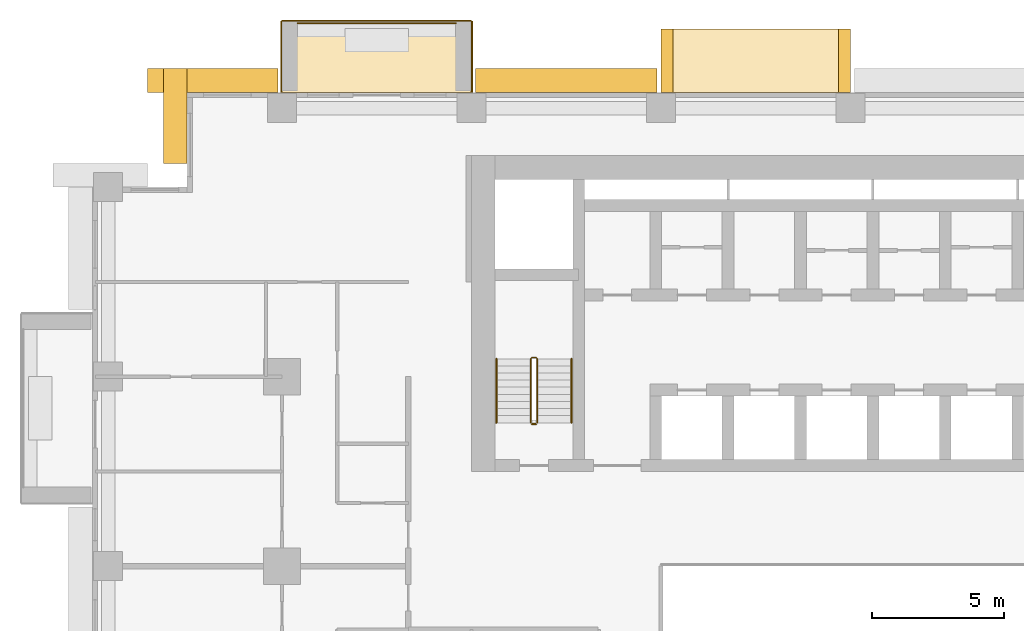
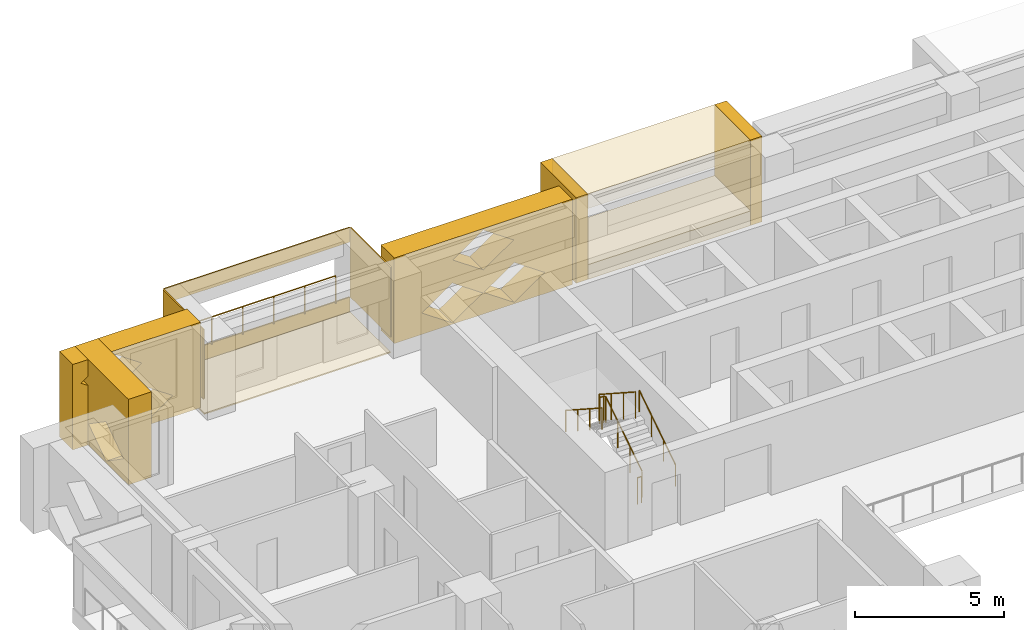
# One storey, part 15 of 17: 12 coverings, 5 railings.
"""IFC4 building model written with IfcOpenShell, lengths in metres."""

from ifc_helpers import new_model, si_unit, direction, frame, origin, origin_2d, place, context, subcontext, project, spatial, polyline, circle, outline, extrude, material, layer, layer_set, type_object, element, save


model = new_model("IFC4")

# Units and contexts
model_context = context("Model", 3, precision=1e-05, world=origin(), true_north=direction((0.0, 1.0)))
body_context = subcontext(model_context, "Body", "Model", "MODEL_VIEW")
ifc_project = project(units=[si_unit("LENGTHUNIT", "METRE"), si_unit("AREAUNIT", "SQUARE_METRE"), si_unit("VOLUMEUNIT", "CUBIC_METRE"), si_unit("PLANEANGLEUNIT", "RADIAN"), si_unit("MASSUNIT", "GRAM", prefix="KILO")], contexts=[model_context])

# Site, building, storey
site_placement = place(None, origin())
site = spatial("IfcSite", under=ifc_project, at=site_placement, CompositionType="ELEMENT")
building_placement = place(site_placement, origin())
building = spatial("IfcBuilding", under=site, at=building_placement, Name="Saffron Iwan Residences", CompositionType="ELEMENT")
storey_placement = place(building_placement, frame((0.0, 0.0, 34.0)))
storey = spatial("IfcBuildingStorey", under=building, at=storey_placement, Name="L07", CompositionType="ELEMENT", Elevation=34.0)

# Railing
ifc_material_1 = material(Name="Stainless steel 316", Category="steel")
railing_type_1 = type_object("IfcRailingType", Name="BALCONY GUARD 1150", PredefinedType="GUARDRAIL", material=ifc_material_1)
railing_1_placement = place(storey_placement, frame((28.199951171875, 83.02490234375, 0.0)))
element("IfcRailing", 1, at=railing_1_placement, inside=storey, type_object=railing_type_1, Name="Balcony guard L07 F5-3", PredefinedType="GUARDRAIL", context=body_context, shape_type="SweptSolid", body=[
    extrude(circle(Radius=0.02392578125, at=origin_2d()), frame((0.0, 0.0, 1.1259765625), z_axis=(-1.0, 0.0, 0.0), x_axis=(0.0, -1.0, 0.0)), (0.0, 0.0, 1.0), 6.0),
    extrude(circle(Radius=0.02099609375, at=origin_2d()), origin(), (0.0, 0.0, 1.0), 1.101806640625),
    extrude(circle(Radius=0.02099609375, at=origin_2d()), frame((-1.199951171875, 0.0, 0.0)), (0.0, 0.0, 1.0), 1.101806640625),
    extrude(circle(Radius=0.02099609375, at=origin_2d()), frame((-2.39990234375, 0.0, 0.0)), (0.0, 0.0, 1.0), 1.101806640625),
    extrude(circle(Radius=0.02099609375, at=origin_2d()), frame((-3.60009765625, 0.0, 0.0)), (0.0, 0.0, 1.0), 1.101806640625),
    extrude(circle(Radius=0.02099609375, at=origin_2d()), frame((-4.800048828125, 0.0, 0.0)), (0.0, 0.0, 1.0), 1.101806640625),
    extrude(circle(Radius=0.02099609375, at=origin_2d()), frame((-6.0, 0.0, 0.0)), (0.0, 0.0, 1.0), 1.101806640625),
])

# Coverings
ifc_material_2 = material(Name="Precast concrete C40/50 white painted", Category="concrete")
ifc_layer = layer(ifc_material_2, 0.050048828125)
ifc_layer_set = layer_set([ifc_layer], Name="Precast concrete C40/50 white painted")
covering_type_1 = type_object("IfcCoveringType", Name="FRAME SKIN PRECAST WHITE 50", PredefinedType="CLADDING", material=ifc_layer_set)
for number, where, name in (
    (2, (0.0, 0.0, -0.60009765625), "Frame skin slab edge L07 F5-3"),
    (3, (0.0, 0.0, 2.25), "Frame skin fascia L07 F5-3"),
):
    element("IfcCovering", number, at=place(storey_placement, frame(where)), inside=storey, type_object=covering_type_1, Name=name, PredefinedType="CLADDING", context=body_context, shape_type="SweptSolid", body=[
        extrude(outline(polyline([(28.800048828125, 83.14990234375), (21.60009765625, 83.14990234375), (21.60009765625, 83.10009765625), (28.800048828125, 83.10009765625), (28.800048828125, 83.14990234375)])), origin(), (0.0, 0.0, 1.0), 0.60009765625),
    ])
covering_1_placement = place(storey_placement, frame((0.0, 0.0, -0.64990234375)))
element("IfcCovering", 4, at=covering_1_placement, inside=storey, type_object=covering_type_1, Name="Frame skin soffit L07 F5-3", PredefinedType="CLADDING", context=body_context, shape_type="SweptSolid", body=[
    extrude(outline(polyline([(28.800048828125, 83.10009765625), (21.60009765625, 83.10009765625), (21.60009765625, 80.39990234375), (28.800048828125, 80.39990234375), (28.800048828125, 83.10009765625)])), origin(), (0.0, 0.0, 1.0), 0.0498046875),
])
covering_2_placement = place(storey_placement, origin())
element("IfcCovering", 5, at=covering_2_placement, inside=storey, type_object=covering_type_1, Name="Frame skin fin L07 F5-3a", PredefinedType="CLADDING", context=body_context, shape_type="SweptSolid", body=[
    extrude(outline(polyline([(28.85009765625, 83.10009765625), (28.800048828125, 83.10009765625), (28.800048828125, 80.39990234375), (28.85009765625, 80.39990234375), (28.85009765625, 83.10009765625)])), origin(), (0.0, 0.0, 1.0), 2.85009765625),
])
covering_3_placement = place(storey_placement, origin())
element("IfcCovering", 6, at=covering_3_placement, inside=storey, type_object=covering_type_1, Name="Frame skin fin L07 F5-3b", PredefinedType="CLADDING", context=body_context, shape_type="SweptSolid", body=[
    extrude(outline(polyline([(21.60009765625, 83.10009765625), (21.550048828125, 83.10009765625), (21.550048828125, 80.39990234375), (21.60009765625, 80.39990234375), (21.60009765625, 83.10009765625)])), origin(), (0.0, 0.0, 1.0), 2.85009765625),
])
ifc_material_3 = material(Name="Precast concrete C40/50", Category="concrete")
covering_type_2 = type_object("IfcCoveringType", Name="OUTER SKIN LATTICE SCREEN", PredefinedType="CLADDING", material=ifc_material_3)
covering_4_placement = place(storey_placement, frame((35.85009765625, 80.39990234375, -0.320068359375), z_axis=(0.0, 1.0, 0.0), x_axis=(-1.0, 0.0, 0.0)))
element("IfcCovering", 7, at=covering_4_placement, inside=storey, type_object=covering_type_2, Name="OUTER SKIN lattice screen L07 F5.3", PredefinedType="CLADDING", context=body_context, shape_type="SweptSolid", body=[
    extrude(outline(polyline([(0.0, 0.0), (6.89990234375, 0.0), (6.89990234375, 3.5), (0.0, 3.5), (0.0, 0.0)]), holes=[polyline([(1.070068359375, 0.875), (2.25, 0.06005859375), (3.429931640625, 0.875), (2.25, 1.68994140625), (1.070068359375, 0.875)]), polyline([(3.469970703125, 0.875), (4.64990234375, 0.06005859375), (5.830078125, 0.875), (4.64990234375, 1.68994140625), (3.469970703125, 0.875)]), polyline([(2.27001953125, 2.625), (3.449951171875, 1.81005859375), (4.6298828125, 2.625), (3.449951171875, 3.43994140625), (2.27001953125, 2.625)])]), origin(), (0.0, 0.0, 1.0), 0.900146484375),
])
covering_5_placement = place(storey_placement, frame((21.449951171875, 80.39990234375, -0.320068359375), z_axis=(0.0, 1.0, 0.0), x_axis=(-1.0, 0.0, 0.0)))
element("IfcCovering", 8, at=covering_5_placement, inside=storey, type_object=covering_type_2, Name="OUTER SKIN lattice screen L07 F5.4", PredefinedType="CLADDING", context=body_context, shape_type="SweptSolid", body=[
    extrude(outline(polyline([(0.0, 0.0), (4.949951171875, 0.0), (4.949951171875, 3.5), (0.0, 3.5), (0.0, 0.0)]), holes=[polyline([(1.070068359375, 0.875), (2.25, 0.06005859375), (3.429931640625, 0.875), (2.25, 1.68994140625), (1.070068359375, 0.875)]), polyline([(2.27001953125, 2.625), (3.449951171875, 1.81005859375), (4.6298828125, 2.625), (3.449951171875, 3.43994140625), (2.27001953125, 2.625)])]), origin(), (0.0, 0.0, 1.0), 0.900146484375),
])
covering_6_placement = place(storey_placement, frame((18.0, 81.300048828125, -0.320068359375), z_axis=(-1.0, 0.0, 0.0), x_axis=(0.0, -1.0, 0.0)))
element("IfcCovering", 9, at=covering_6_placement, inside=storey, type_object=covering_type_2, Name="OUTER SKIN lattice screen L07 F6.0", PredefinedType="CLADDING", context=body_context, shape_type="SweptSolid", body=[
    extrude(outline(polyline([(0.0, 0.0), (3.60009765625, 0.0), (3.60009765625, 3.5), (0.0, 3.5), (0.0, 0.0)]), holes=[polyline([(0.919921875, 0.875), (2.10009765625, 0.06005859375), (3.280029296875, 0.875), (2.10009765625, 1.68994140625), (0.919921875, 0.875)])]), origin(), (0.0, 0.0, 1.0), 0.89990234375),
])

# Railings
ifc_material_4 = material(Name="Steel S355", Category="steel")
railing_type_2 = type_object("IfcRailingType", Name="Stair guard 1100", PredefinedType="GUARDRAIL", material=ifc_material_4)
railing_2_placement = place(storey_placement, frame((31.300048828125, 67.85009765625, 0.175048828125)))
element("IfcRailing", 10, at=railing_2_placement, inside=storey, type_object=railing_type_2, Name="L07 ST-W stair guard 1", PredefinedType="GUARDRAIL", context=body_context, shape_type="SweptSolid", body=[
    extrude(circle(Radius=0.02392578125, at=origin_2d()), frame((0.0, 0.0, 1.076171875), z_axis=(0.0, 0.839153699163, 0.543894354798), x_axis=(-1.0, 0.0, 0.0)), (0.0, 0.0, 1.0), 2.895751953125),
    extrude(circle(Radius=0.02392578125, at=origin_2d()), frame((0.0, 2.429931640625, 2.65087890625), z_axis=(-0.707106781187, 0.707106781187, 0.0), x_axis=(-0.707106781187, -0.707106781187, 0.0)), (0.0, 0.0, 1.0), 0.07080078125),
    extrude(circle(Radius=0.02392578125, at=origin_2d()), frame((-0.050048828125, 2.47998046875, 2.65087890625), z_axis=(-1.0, 0.0, 0.0), x_axis=(0.0, -1.0, 0.0)), (0.0, 0.0, 1.0), 0.14990234375),
    extrude(circle(Radius=0.02392578125, at=origin_2d()), frame((-0.199951171875, 2.47998046875, 2.65087890625), z_axis=(-0.265065253269, -0.265065253269, 0.927081885822), x_axis=(0.707106781187, -0.707106781187, 0.0)), (0.0, 0.0, 1.0), 0.188720703125),
    extrude(circle(Radius=0.02392578125, at=origin_2d()), frame((-0.25, 2.429931640625, 2.826171875), z_axis=(0.0, -0.839153699163, 0.543894354798), x_axis=(1.0, 0.0, 0.0)), (0.0, 0.0, 1.0), 2.895751953125),
    extrude(circle(Radius=0.02099609375, at=origin_2d()), origin(), (0.0, 0.0, 1.0), 1.052001953125),
    extrude(circle(Radius=0.02099609375, at=origin_2d()), frame((0.0, 0.81005859375, 0.52490234375)), (0.0, 0.0, 1.0), 1.052001953125),
    extrude(circle(Radius=0.02099609375, at=origin_2d()), frame((0.0, 1.619873046875, 1.050048828125)), (0.0, 0.0, 1.0), 1.052001953125),
    extrude(circle(Radius=0.02099609375, at=origin_2d()), frame((0.0, 2.429931640625, 1.574951171875)), (0.0, 0.0, 1.0), 1.052001953125),
    extrude(circle(Radius=0.02099609375, at=origin_2d()), frame((-0.050048828125, 2.47998046875, 1.574951171875)), (0.0, 0.0, 1.0), 1.052001953125),
    extrude(circle(Radius=0.02099609375, at=origin_2d()), frame((-0.199951171875, 2.47998046875, 1.574951171875)), (0.0, 0.0, 1.0), 1.052001953125),
    extrude(circle(Radius=0.02099609375, at=origin_2d()), frame((-0.25, 2.429931640625, 1.75)), (0.0, 0.0, 1.0), 1.052001953125),
    extrude(circle(Radius=0.02099609375, at=origin_2d()), frame((-0.25, 1.619873046875, 2.27490234375)), (0.0, 0.0, 1.0), 1.052001953125),
    extrude(circle(Radius=0.02099609375, at=origin_2d()), frame((-0.25, 0.81005859375, 2.800048828125)), (0.0, 0.0, 1.0), 1.052001953125),
    extrude(circle(Radius=0.02099609375, at=origin_2d()), frame((-0.25, 0.0, 3.324951171875)), (0.0, 0.0, 1.0), 1.052001953125),
])
railing_3_placement = place(storey_placement, frame((31.25, 67.800048828125, 0.0)))
element("IfcRailing", 11, at=railing_3_placement, inside=storey, type_object=railing_type_2, Name="L07 ST-W stair guard 2", PredefinedType="GUARDRAIL", context=body_context, shape_type="SweptSolid", body=[
    extrude(circle(Radius=0.02392578125, at=origin_2d()), frame((0.0, 0.0, 1.076171875), z_axis=(-1.0, 0.0, 0.0), x_axis=(0.0, -1.0, 0.0)), (0.0, 0.0, 1.0), 0.14990234375),
    extrude(circle(Radius=0.02099609375, at=origin_2d()), origin(), (0.0, 0.0, 1.0), 1.052001953125),
    extrude(circle(Radius=0.02099609375, at=origin_2d()), frame((-0.14990234375, 0.0, 0.0)), (0.0, 0.0, 1.0), 1.052001953125),
])
railing_type_3 = type_object("IfcRailingType", Name="Stair handrail 900", PredefinedType="HANDRAIL", material=ifc_material_1)
railing_4_placement = place(storey_placement, frame((32.60009765625, 67.85009765625, 0.175048828125)))
element("IfcRailing", 12, at=railing_4_placement, inside=storey, type_object=railing_type_3, Name="L07 ST-W stair handrail 1", PredefinedType="HANDRAIL", context=body_context, shape_type="SweptSolid", body=[
    extrude(circle(Radius=0.02392578125, at=origin_2d()), frame((0.0, 0.0, 0.8759765625), z_axis=(0.0, 0.839153699163, 0.543894354798), x_axis=(-1.0, 0.0, 0.0)), (0.0, 0.0, 1.0), 2.895751953125),
    extrude(circle(Radius=0.02099609375, at=origin_2d()), origin(), (0.0, 0.0, 1.0), 0.851806640625),
    extrude(circle(Radius=0.02099609375, at=origin_2d()), frame((0.0, 0.81005859375, 0.52490234375)), (0.0, 0.0, 1.0), 0.851806640625),
    extrude(circle(Radius=0.02099609375, at=origin_2d()), frame((0.0, 1.619873046875, 1.050048828125)), (0.0, 0.0, 1.0), 0.851806640625),
    extrude(circle(Radius=0.02099609375, at=origin_2d()), frame((0.0, 2.429931640625, 1.574951171875)), (0.0, 0.0, 1.0), 0.851806640625),
])
railing_5_placement = place(storey_placement, frame((29.75, 70.280029296875, 1.925048828125)))
element("IfcRailing", 13, at=railing_5_placement, inside=storey, type_object=railing_type_3, Name="L07 ST-W stair handrail 2", PredefinedType="HANDRAIL", context=body_context, shape_type="SweptSolid", body=[
    extrude(circle(Radius=0.02392578125, at=origin_2d()), frame((0.0, 0.0, 0.8759765625), z_axis=(0.0, -0.839153699163, 0.543894354798), x_axis=(1.0, 0.0, 0.0)), (0.0, 0.0, 1.0), 2.895751953125),
    extrude(circle(Radius=0.02099609375, at=origin_2d()), origin(), (0.0, 0.0, 1.0), 0.851806640625),
    extrude(circle(Radius=0.02099609375, at=origin_2d()), frame((0.0, -0.81005859375, 0.52490234375)), (0.0, 0.0, 1.0), 0.851806640625),
    extrude(circle(Radius=0.02099609375, at=origin_2d()), frame((0.0, -1.619873046875, 1.050048828125)), (0.0, 0.0, 1.0), 0.851806640625),
    extrude(circle(Radius=0.02099609375, at=origin_2d()), frame((0.0, -2.429931640625, 1.574951171875)), (0.0, 0.0, 1.0), 0.851806640625),
])

# Coverings
covering_type_3 = type_object("IfcCoveringType", Name="WHITE SUN FRAME PRECAST", PredefinedType="CLADDING", material=ifc_material_2)
for number, where, z_axis, x_axis, name in (
    (14, (43.199951171875, 80.39990234375, -0.320068359375), (0.0, 1.0, 0.0), (-1.0, 0.0, 0.0), "Sun frame L07 F5 39.6a"),
    (15, (36.449951171875, 80.39990234375, -0.320068359375), (0.0, 1.0, 0.0), (-1.0, 0.0, 0.0), "Sun frame L07 F5 39.6b"),
):
    element("IfcCovering", number, at=place(storey_placement, frame(where, z_axis=z_axis, x_axis=x_axis)), inside=storey, type_object=covering_type_3, Name=name, PredefinedType="CLADDING", context=body_context, shape_type="SweptSolid", body=[
        extrude(outline(polyline([(0.0, 0.0), (0.449951171875, 0.0), (0.449951171875, 3.5), (0.0, 3.5), (0.0, 0.0)])), origin(), (0.0, 0.0, 1.0), 2.400146484375),
    ])
for number, where, z_axis, x_axis, name in (
    (16, (42.75, 80.39990234375, 2.580078125), (0.0, 1.0, 0.0), (-1.0, 0.0, 0.0), "Sun frame L07 F5 39.6h"),
    (17, (42.75, 80.39990234375, -0.320068359375), (0.0, 1.0, 0.0), (-1.0, 0.0, 0.0), "Sun frame L07 F5 39.6s"),
):
    element("IfcCovering", number, at=place(storey_placement, frame(where, z_axis=z_axis, x_axis=x_axis)), inside=storey, type_object=covering_type_3, Name=name, PredefinedType="CLADDING", context=body_context, shape_type="SweptSolid", body=[
        extrude(outline(polyline([(0.0, 0.0), (6.300048828125, 0.0), (6.300048828125, 0.60009765625), (0.0, 0.60009765625), (0.0, 0.0)])), origin(), (0.0, 0.0, 1.0), 2.400146484375),
    ])

save(model, "model.ifc")
